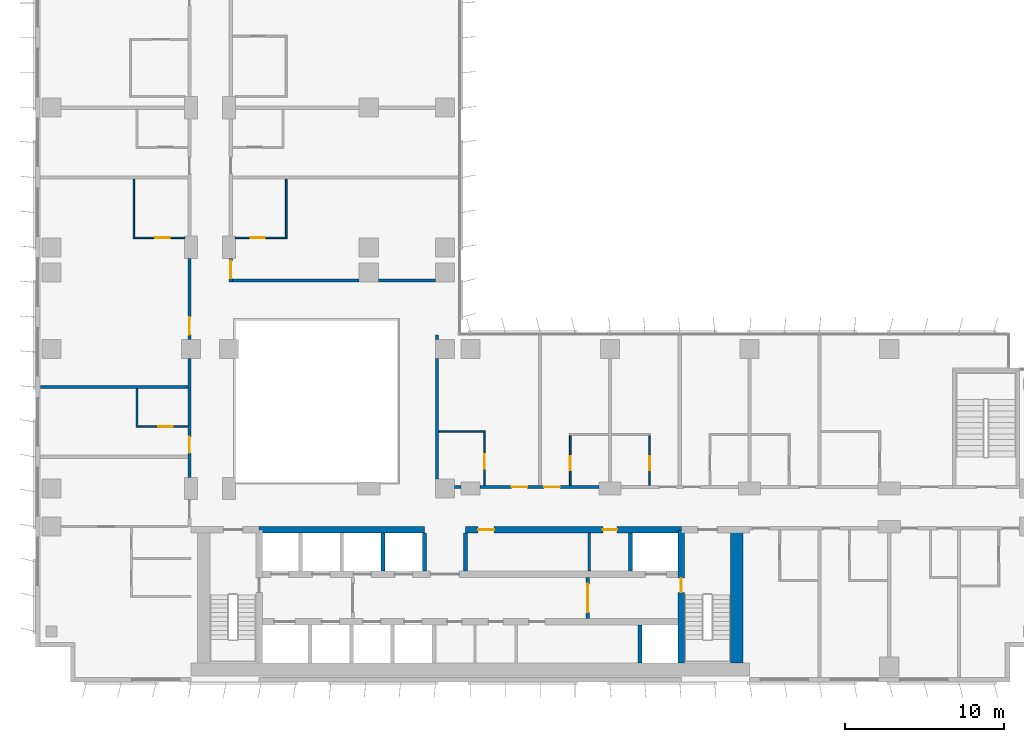
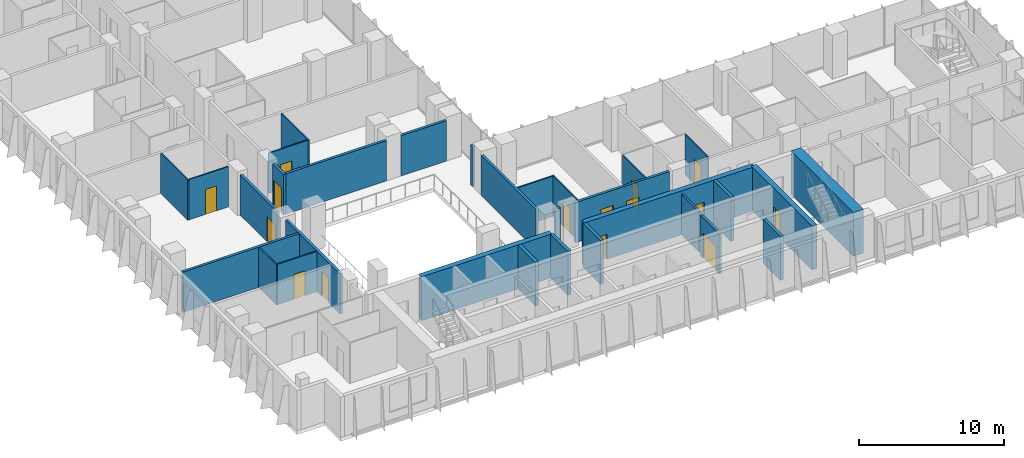
# One storey, part 13 of 23: 31 walls, 15 doors, 15 openings.
"""IFC4 building model written with IfcOpenShell, lengths in metres."""

from ifc_helpers import new_model, si_unit, direction, frame, frame_2d, origin, place, context, subcontext, project, spatial, rectangle, extrude, material, layer, layer_set, type_object, element, fill, save


model = new_model("IFC4")

# Units and contexts
model_context = context("Model", 3, precision=1e-05, world=origin(), true_north=direction((0.0, 1.0)))
body_context = subcontext(model_context, "Body", "Model", "MODEL_VIEW")
ifc_project = project(units=[si_unit("LENGTHUNIT", "METRE"), si_unit("AREAUNIT", "SQUARE_METRE"), si_unit("VOLUMEUNIT", "CUBIC_METRE"), si_unit("PLANEANGLEUNIT", "RADIAN"), si_unit("MASSUNIT", "GRAM", prefix="KILO")], contexts=[model_context])

# Site, building, storey
site_placement = place(None, origin())
site = spatial("IfcSite", under=ifc_project, at=site_placement, CompositionType="ELEMENT")
building_placement = place(site_placement, origin())
building = spatial("IfcBuilding", under=site, at=building_placement, Name="Kemantara Hotel Tower", CompositionType="ELEMENT")
storey_placement = place(building_placement, frame((0.0, 0.0, 118.5)))
storey = spatial("IfcBuildingStorey", under=building, at=storey_placement, Name="L28", CompositionType="ELEMENT", Elevation=118.5)

# Walls
ifc_material_1 = material(Name="Concrete fc 70 MPa", Category="concrete")
ifc_layer_1 = layer(ifc_material_1, 0.25)
ifc_layer_set_1 = layer_set([ifc_layer_1], Name="Concrete fc 70 MPa")
wall_type_1 = type_object("IfcWallType", Name="CORE WALL 250 FC70", PredefinedType="SHEAR", material=ifc_layer_set_1)
wall_1_placement = place(storey_placement, frame((38.10009765625, 1.199951171875, 0.0), z_axis=(0.0, 0.0, 1.0), x_axis=(0.0, 1.0, 0.0)))
element("IfcWall", 1, at=wall_1_placement, inside=storey, type_object=wall_type_1, Name="CORE WALL CW-DS38.1", PredefinedType="SHEAR", context=body_context, shape_type="SweptSolid", body=[
    extrude(rectangle(XDim=2.400146484375, YDim=0.25, at=frame_2d((1.2001953125, 0.0))), origin(), (0.0, 0.0, 1.0), 3.699951171875),
])
for number, where, z_axis, x_axis, name in (
    (2, (21.89990234375, 7.0, 0.0), (0.0, 0.0, 1.0), (0.0, 1.0, 0.0), "CORE WALL CW-DN21.9"),
    (3, (24.5, 7.0, 0.0), (0.0, 0.0, 1.0), (0.0, 1.0, 0.0), "CORE WALL CW-DN24.5"),
    (4, (27.10009765625, 7.0, 0.0), (0.0, 0.0, 1.0), (0.0, 1.0, 0.0), "CORE WALL CW-DN27.1"),
    (5, (37.5, 7.0, 0.0), (0.0, 0.0, 1.0), (0.0, 1.0, 0.0), "CORE WALL CW-DN37.5"),
):
    element("IfcWall", number, at=place(storey_placement, frame(where, z_axis=z_axis, x_axis=x_axis)), inside=storey, type_object=wall_type_1, Name=name, PredefinedType="SHEAR", context=body_context, shape_type="SweptSolid", body=[
        extrude(rectangle(XDim=2.39990234375, YDim=0.25, at=frame_2d((1.199951171875, 0.0))), origin(), (0.0, 0.0, 1.0), 3.699951171875),
    ])
ifc_layer_2 = layer(ifc_material_1, 0.39990234375)
ifc_layer_set_2 = layer_set([ifc_layer_2], Name="Concrete fc 70 MPa")
wall_type_2 = type_object("IfcWallType", Name="CORE WALL 400 FC70", PredefinedType="SHEAR", material=ifc_layer_set_2)
wall_2_placement = place(storey_placement, frame((14.10009765625, 9.60009765625, 0.0), z_axis=(0.0, 0.0, 1.0), x_axis=(1.0, 0.0, 0.0)))
element("IfcWall", 6, at=wall_2_placement, inside=storey, type_object=wall_type_2, Name="CORE WALL CW-NN1", PredefinedType="SHEAR", context=body_context, shape_type="SweptSolid", body=[
    extrude(rectangle(XDim=10.39990234375, YDim=0.39990234375, at=frame_2d((5.199951171875, 0.0))), origin(), (0.0, 0.0, 1.0), 3.699951171875),
])

# Wall, openings, doors
wall_3_placement = place(storey_placement, frame((27.10009765625, 9.60009765625, 0.0), z_axis=(0.0, 0.0, 1.0), x_axis=(1.0, 0.0, 0.0)))
wall_3 = element("IfcWall", 7, at=wall_3_placement, inside=storey, type_object=wall_type_2, Name="CORE WALL CW-NN2", PredefinedType="SHEAR", context=body_context, shape_type="SweptSolid", body=[
    extrude(rectangle(XDim=13.599853515625, YDim=0.39990234375, at=frame_2d((6.7998046875, 0.0))), origin(), (0.0, 0.0, 1.0), 3.699951171875),
])
opening_1_placement = place(wall_3_placement, frame((0.800048828125, 0.0, 0.0)))
opening_1 = element("IfcOpeningElement", 8, at=opening_1_placement, cuts=wall_3, Name="Opening C19-R-NE1", PredefinedType="OPENING", context=body_context, shape_type="SweptSolid", body=[
    extrude(rectangle(XDim=1.0, YDim=2.10009765625, at=frame_2d((0.5, 1.050048828125))), frame((0.0, 0.2099609375, 0.0), z_axis=(0.0, -1.0, 0.0), x_axis=(1.0, 0.0, 0.0)), (0.0, 0.0, 1.0), 0.419921875),
])
opening_2_placement = place(wall_3_placement, frame((8.64990234375, 0.0, 0.0)))
opening_2 = element("IfcOpeningElement", 9, at=opening_2_placement, cuts=wall_3, Name="Opening C19-R-NE2", PredefinedType="OPENING", context=body_context, shape_type="SweptSolid", body=[
    extrude(rectangle(XDim=0.89990234375, YDim=2.10009765625, at=frame_2d((0.449951171875, 1.050048828125))), frame((0.0, 0.2099609375, 0.0), z_axis=(0.0, -1.0, 0.0), x_axis=(1.0, 0.0, 0.0)), (0.0, 0.0, 1.0), 0.419921875),
])
ifc_material_2 = material(Name="Steel fire door", Category="steel")
door_type_1 = type_object("IfcDoorType", Name="Fire door FD30S 1000 x 2100", OperationType="NOTDEFINED", PredefinedType="DOOR", material=ifc_material_2)
door_1_placement = place(opening_1_placement, frame((1.0, 0.0, 0.0), z_axis=(0.0, 0.0, 1.0), x_axis=(-1.0, 0.0, 0.0)))
door_1 = element("IfcDoor", 10, at=door_1_placement, inside=storey, type_object=door_type_1, Name="Housekeeping Store door", OperationType="SINGLE_SWING_RIGHT", OverallHeight=2.10009765625, OverallWidth=1.0, PredefinedType="DOOR", context=body_context, shape_type="SweptSolid", body=[
    extrude(rectangle(XDim=1.0, YDim=2.10009765625, at=frame_2d((0.5, 1.050048828125))), frame((0.0, 0.02490234375, 0.0), z_axis=(0.0, -1.0, 0.0), x_axis=(1.0, 0.0, 0.0)), (0.0, 0.0, 1.0), 0.050048828125),
])
fill(opening_1, door_1)
door_type_2 = type_object("IfcDoorType", Name="Fire door FD60 900 x 2100", OperationType="NOTDEFINED", PredefinedType="DOOR", material=ifc_material_2)
door_2_placement = place(opening_2_placement, frame((0.89990234375, 0.0, 0.0), z_axis=(0.0, 0.0, 1.0), x_axis=(-1.0, 0.0, 0.0)))
door_2 = element("IfcDoor", 11, at=door_2_placement, inside=storey, type_object=door_type_2, Name="It Equipment Room door", OperationType="SINGLE_SWING_LEFT", OverallHeight=2.10009765625, OverallWidth=0.89990234375, PredefinedType="DOOR", context=body_context, shape_type="SweptSolid", body=[
    extrude(rectangle(XDim=0.89990234375, YDim=2.10009765625, at=frame_2d((0.449951171875, 1.050048828125))), frame((0.0, 0.02490234375, 0.0), z_axis=(0.0, -1.0, 0.0), x_axis=(1.0, 0.0, 0.0)), (0.0, 0.0, 1.0), 0.050048828125),
])
fill(opening_2, door_2)

# Wall, opening, door
wall_4_placement = place(storey_placement, frame((40.699951171875, 1.199951171875, 0.0), z_axis=(0.0, 0.0, 1.0), x_axis=(0.0, 1.0, 0.0)))
wall_4 = element("IfcWall", 12, at=wall_4_placement, inside=storey, type_object=wall_type_2, Name="CORE WALL CW-ST2W", PredefinedType="SHEAR", context=body_context, shape_type="SweptSolid", body=[
    extrude(rectangle(XDim=8.400146484375, YDim=0.39990234375, at=frame_2d((4.2001953125, 0.0))), origin(), (0.0, 0.0, 1.0), 3.699951171875),
])
opening_3_placement = place(wall_4_placement, frame((4.449951171875, 0.0, 0.0)))
opening_3 = element("IfcOpeningElement", 13, at=opening_3_placement, cuts=wall_4, Name="Opening C19-ST2-F", PredefinedType="OPENING", context=body_context, shape_type="SweptSolid", body=[
    extrude(rectangle(XDim=0.89990234375, YDim=2.10009765625, at=frame_2d((0.449951171875, 1.050048828125))), frame((0.0, 0.2099609375, 0.0), z_axis=(0.0, -1.0, 0.0), x_axis=(1.0, 0.0, 0.0)), (0.0, 0.0, 1.0), 0.419921875),
])
door_type_3 = type_object("IfcDoorType", Name="Fire door FD90 900 x 2100", OperationType="NOTDEFINED", PredefinedType="DOOR", material=ifc_material_2)
door_3_placement = place(opening_3_placement, frame((0.89990234375, 0.0, 0.0), z_axis=(0.0, 0.0, 1.0), x_axis=(-1.0, 0.0, 0.0)))
door_3 = element("IfcDoor", 14, at=door_3_placement, inside=storey, type_object=door_type_3, Name="Stair ST2 door to firefighting lobby", OperationType="SINGLE_SWING_LEFT", OverallHeight=2.10009765625, OverallWidth=0.89990234375, PredefinedType="DOOR", context=body_context, shape_type="SweptSolid", body=[
    extrude(rectangle(XDim=0.89990234375, YDim=2.10009765625, at=frame_2d((0.449951171875, 1.050048828125))), frame((0.0, 0.02490234375, 0.0), z_axis=(0.0, -1.0, 0.0), x_axis=(1.0, 0.0, 0.0)), (0.0, 0.0, 1.0), 0.050048828125),
])
fill(opening_3, door_3)

# Walls
ifc_layer_3 = layer(ifc_material_1, 0.800048828125)
ifc_layer_set_3 = layer_set([ifc_layer_3], Name="Concrete fc 70 MPa")
wall_type_3 = type_object("IfcWallType", Name="CORE WALL 800 FC70", PredefinedType="SHEAR", material=ifc_layer_set_3)
wall_5_placement = place(storey_placement, frame((44.199951171875, 1.199951171875, 0.0), z_axis=(0.0, 0.0, 1.0), x_axis=(0.0, 1.0, 0.0)))
element("IfcWall", 15, at=wall_5_placement, inside=storey, type_object=wall_type_3, Name="CORE WALL CW-E", PredefinedType="SHEAR", context=body_context, shape_type="SweptSolid", body=[
    extrude(rectangle(XDim=8.60009765625, YDim=0.800048828125, at=frame_2d((4.300048828125, 0.0))), origin(), (0.0, 0.0, 1.0), 3.699951171875),
])
ifc_material_3 = material(Name="Gypsum board partition, steel studs and mineral wool, 200 mm", Category="steel")
ifc_layer_4 = layer(ifc_material_3, 0.199951171875)
ifc_layer_set_4 = layer_set([ifc_layer_4], Name="Gypsum board partition, steel studs and mineral wool, 200 mm")
wall_type_4 = type_object("IfcWallType", Name="CORRIDOR WALL 200", PredefinedType="PARTITIONING", material=ifc_layer_set_4)
wall_6_placement = place(storey_placement, frame((26.400146484375, 12.300048828125, 0.0), z_axis=(0.0, 0.0, 1.0), x_axis=(1.0, 0.0, 0.0)))
element("IfcWall", 16, at=wall_6_placement, inside=storey, type_object=wall_type_4, Name="CORRIDOR WALL 200 007", PredefinedType="PARTITIONING", context=body_context, shape_type="SweptSolid", body=[
    extrude(rectangle(XDim=0.399658203125, YDim=0.199951171875, at=frame_2d((0.19970703125, 0.0))), origin(), (0.0, 0.0, 1.0), 3.39990234375),
])

# Wall, openings, doors
wall_7_placement = place(storey_placement, frame((28.0, 12.300048828125, 0.0), z_axis=(0.0, 0.0, 1.0), x_axis=(1.0, 0.0, 0.0)))
wall_7 = element("IfcWall", 17, at=wall_7_placement, inside=storey, type_object=wall_type_4, Name="CORRIDOR WALL 200 008", PredefinedType="PARTITIONING", context=body_context, shape_type="SweptSolid", body=[
    extrude(rectangle(XDim=7.5, YDim=0.199951171875, at=frame_2d((3.75, 0.0))), origin(), (0.0, 0.0, 1.0), 3.39990234375),
])
opening_4_placement = place(wall_7_placement, frame((2.0, 0.0, 0.0)))
opening_4 = element("IfcOpeningElement", 18, at=opening_4_placement, cuts=wall_7, Name="Opening F12-009", PredefinedType="OPENING", context=body_context, shape_type="SweptSolid", body=[
    extrude(rectangle(XDim=1.0, YDim=2.10009765625, at=frame_2d((0.5, 1.050048828125))), frame((0.0, 0.10986328125, 0.0), z_axis=(0.0, -1.0, 0.0), x_axis=(1.0, 0.0, 0.0)), (0.0, 0.0, 1.0), 0.219970703125),
])
opening_5_placement = place(wall_7_placement, frame((4.0498046875, 0.0, 0.0)))
opening_5 = element("IfcOpeningElement", 19, at=opening_5_placement, cuts=wall_7, Name="Opening F12-011", PredefinedType="OPENING", context=body_context, shape_type="SweptSolid", body=[
    extrude(rectangle(XDim=1.0, YDim=2.10009765625, at=frame_2d((0.5, 1.050048828125))), frame((0.0, 0.10986328125, 0.0), z_axis=(0.0, -1.0, 0.0), x_axis=(1.0, 0.0, 0.0)), (0.0, 0.0, 1.0), 0.219970703125),
])
ifc_material_4 = material(Name="Hardwood veneer door leaf with steel frame", Category="steel")
door_type_4 = type_object("IfcDoorType", Name="GUEST ROOM DOOR 1000 X 2100 FD30S", OperationType="NOTDEFINED", PredefinedType="DOOR", material=ifc_material_4)
door_4_placement = place(opening_4_placement, origin())
door_4 = element("IfcDoor", 20, at=door_4_placement, inside=storey, type_object=door_type_4, Name="GUEST ROOM DOOR F12-009", OperationType="SINGLE_SWING_RIGHT", OverallHeight=2.10009765625, OverallWidth=1.0, PredefinedType="DOOR", context=body_context, shape_type="SweptSolid", body=[
    extrude(rectangle(XDim=1.0, YDim=2.10009765625, at=frame_2d((0.5, 1.050048828125))), frame((0.0, 0.02490234375, 0.0), z_axis=(0.0, -1.0, 0.0), x_axis=(1.0, 0.0, 0.0)), (0.0, 0.0, 1.0), 0.050048828125),
])
fill(opening_4, door_4)
door_5_placement = place(opening_5_placement, origin())
door_5 = element("IfcDoor", 21, at=door_5_placement, inside=storey, type_object=door_type_4, Name="GUEST ROOM DOOR F12-011", OperationType="SINGLE_SWING_LEFT", OverallHeight=2.10009765625, OverallWidth=1.0, PredefinedType="DOOR", context=body_context, shape_type="SweptSolid", body=[
    extrude(rectangle(XDim=1.0, YDim=2.10009765625, at=frame_2d((0.5, 1.050048828125))), frame((0.0, 0.02490234375, 0.0), z_axis=(0.0, -1.0, 0.0), x_axis=(1.0, 0.0, 0.0)), (0.0, 0.0, 1.0), 0.050048828125),
])
fill(opening_5, door_5)

# Wall, opening, door
wall_8_placement = place(storey_placement, frame((9.699951171875, 12.900146484375, 0.0), z_axis=(0.0, 0.0, 1.0), x_axis=(0.0, 1.0, 0.0)))
wall_8 = element("IfcWall", 22, at=wall_8_placement, inside=storey, type_object=wall_type_4, Name="CORRIDOR WALL 200 019", PredefinedType="PARTITIONING", context=body_context, shape_type="SweptSolid", body=[
    extrude(rectangle(XDim=7.499755859375, YDim=0.199951171875, at=frame_2d((3.75, 0.0))), origin(), (0.0, 0.0, 1.0), 3.39990234375),
])
opening_6_placement = place(wall_8_placement, frame((1.5498046875, 0.0, 0.0)))
opening_6 = element("IfcOpeningElement", 23, at=opening_6_placement, cuts=wall_8, Name="Opening F12-025", PredefinedType="OPENING", context=body_context, shape_type="SweptSolid", body=[
    extrude(rectangle(XDim=1.0, YDim=2.10009765625, at=frame_2d((0.5, 1.050048828125))), frame((0.0, 0.10986328125, 0.0), z_axis=(0.0, -1.0, 0.0), x_axis=(1.0, 0.0, 0.0)), (0.0, 0.0, 1.0), 0.219970703125),
])
door_6_placement = place(opening_6_placement, origin())
door_6 = element("IfcDoor", 24, at=door_6_placement, inside=storey, type_object=door_type_4, Name="GUEST ROOM DOOR F12-025", OperationType="SINGLE_SWING_LEFT", OverallHeight=2.10009765625, OverallWidth=1.0, PredefinedType="DOOR", context=body_context, shape_type="SweptSolid", body=[
    extrude(rectangle(XDim=1.0, YDim=2.10009765625, at=frame_2d((0.5, 1.050048828125))), frame((0.0, 0.02490234375, 0.0), z_axis=(0.0, -1.0, 0.0), x_axis=(1.0, 0.0, 0.0)), (0.0, 0.0, 1.0), 0.050048828125),
])
fill(opening_6, door_6)

wall_9_placement = place(storey_placement, frame((9.699951171875, 21.60009765625, 0.0), z_axis=(0.0, 0.0, 1.0), x_axis=(0.0, 1.0, 0.0)))
wall_9 = element("IfcWall", 25, at=wall_9_placement, inside=storey, type_object=wall_type_4, Name="CORRIDOR WALL 200 020", PredefinedType="PARTITIONING", context=body_context, shape_type="SweptSolid", body=[
    extrude(rectangle(XDim=5.099853515625, YDim=0.199951171875, at=frame_2d((2.5498046875, 0.0))), origin(), (0.0, 0.0, 1.0), 3.39990234375),
])
opening_7_placement = place(wall_9_placement, frame((0.2998046875, 0.0, 0.0)))
opening_7 = element("IfcOpeningElement", 26, at=opening_7_placement, cuts=wall_9, Name="Opening F12-027", PredefinedType="OPENING", context=body_context, shape_type="SweptSolid", body=[
    extrude(rectangle(XDim=1.10009765625, YDim=2.10009765625, at=frame_2d((0.550048828125, 1.050048828125))), frame((0.0, 0.10986328125, 0.0), z_axis=(0.0, -1.0, 0.0), x_axis=(1.0, 0.0, 0.0)), (0.0, 0.0, 1.0), 0.219970703125),
])
door_type_5 = type_object("IfcDoorType", Name="SUITE ENTRANCE DOOR 1100 X 2100 FD30S", OperationType="NOTDEFINED", PredefinedType="DOOR", material=ifc_material_4)
door_7_placement = place(opening_7_placement, origin())
door_7 = element("IfcDoor", 27, at=door_7_placement, inside=storey, type_object=door_type_5, Name="SUITE ENTRANCE DOOR F12-027", OperationType="SINGLE_SWING_LEFT", OverallHeight=2.10009765625, OverallWidth=1.10009765625, PredefinedType="DOOR", context=body_context, shape_type="SweptSolid", body=[
    extrude(rectangle(XDim=1.10009765625, YDim=2.10009765625, at=frame_2d((0.550048828125, 1.050048828125))), frame((0.0, 0.02490234375, 0.0), z_axis=(0.0, -1.0, 0.0), x_axis=(1.0, 0.0, 0.0)), (0.0, 0.0, 1.0), 0.050048828125),
])
fill(opening_7, door_7)

wall_10_placement = place(storey_placement, frame((12.300048828125, 26.699951171875, 0.0), z_axis=(0.0, 0.0, 1.0), x_axis=(0.0, -1.0, 0.0)))
wall_10 = element("IfcWall", 28, at=wall_10_placement, inside=storey, type_object=wall_type_4, Name="CORRIDOR WALL 200 044", PredefinedType="PARTITIONING", context=body_context, shape_type="SweptSolid", body=[
    extrude(rectangle(XDim=1.5, YDim=0.199951171875, at=frame_2d((0.75, 0.0))), origin(), (0.0, 0.0, 1.0), 3.39990234375),
])
opening_8_placement = place(wall_10_placement, frame((0.14990234375, 0.0, 0.0)))
opening_8 = element("IfcOpeningElement", 29, at=opening_8_placement, cuts=wall_10, Name="Opening F12-045", PredefinedType="OPENING", context=body_context, shape_type="SweptSolid", body=[
    extrude(rectangle(XDim=1.10009765625, YDim=2.10009765625, at=frame_2d((0.550048828125, 1.050048828125))), frame((0.0, 0.10986328125, 0.0), z_axis=(0.0, -1.0, 0.0), x_axis=(1.0, 0.0, 0.0)), (0.0, 0.0, 1.0), 0.219970703125),
])
door_8_placement = place(opening_8_placement, origin())
door_8 = element("IfcDoor", 30, at=door_8_placement, inside=storey, type_object=door_type_5, Name="SUITE ENTRANCE DOOR F12-045", OperationType="SINGLE_SWING_RIGHT", OverallHeight=2.10009765625, OverallWidth=1.10009765625, PredefinedType="DOOR", context=body_context, shape_type="SweptSolid", body=[
    extrude(rectangle(XDim=1.10009765625, YDim=2.10009765625, at=frame_2d((0.550048828125, 1.050048828125))), frame((0.0, 0.02490234375, 0.0), z_axis=(0.0, -1.0, 0.0), x_axis=(1.0, 0.0, 0.0)), (0.0, 0.0, 1.0), 0.050048828125),
])
fill(opening_8, door_8)

# Walls
ifc_layer_5 = layer(ifc_material_3, 0.199951171875)
ifc_layer_set_5 = layer_set([ifc_layer_5], Name="Gypsum board partition, steel studs and mineral wool, 200 mm")
wall_type_5 = type_object("IfcWallType", Name="GUEST ROOM PARTY WALL 200", PredefinedType="PARTITIONING", material=ifc_layer_set_5)
wall_11_placement = place(storey_placement, frame((25.300048828125, 12.800048828125, 0.0), z_axis=(0.0, 0.0, 1.0), x_axis=(0.0, 1.0, 0.0)))
element("IfcWall", 31, at=wall_11_placement, inside=storey, type_object=wall_type_5, Name="GUEST ROOM PARTY WALL 200 012", PredefinedType="PARTITIONING", context=body_context, shape_type="SweptSolid", body=[
    extrude(rectangle(XDim=7.599853515625, YDim=0.199951171875, at=frame_2d((3.7998046875, 0.0))), origin(), (0.0, 0.0, 1.0), 3.39990234375),
])
wall_12_placement = place(storey_placement, frame((25.300048828125, 21.60009765625, 0.0), z_axis=(0.0, 0.0, 1.0), x_axis=(0.0, 1.0, 0.0)))
element("IfcWall", 32, at=wall_12_placement, inside=storey, type_object=wall_type_5, Name="GUEST ROOM PARTY WALL 200 013", PredefinedType="PARTITIONING", context=body_context, shape_type="SweptSolid", body=[
    extrude(rectangle(XDim=0.27001953125, YDim=0.199951171875, at=frame_2d((0.135009765625, 0.0))), origin(), (0.0, 0.0, 1.0), 3.39990234375),
])
wall_13_placement = place(storey_placement, frame((0.31005859375, 18.60009765625, 0.0), z_axis=(0.0, 0.0, 1.0), x_axis=(1.0, 0.0, 0.0)))
element("IfcWall", 33, at=wall_13_placement, inside=storey, type_object=wall_type_5, Name="GUEST ROOM PARTY WALL 200 028", PredefinedType="PARTITIONING", context=body_context, shape_type="SweptSolid", body=[
    extrude(rectangle(XDim=9.2900390625, YDim=0.199951171875, at=frame_2d((4.64501953125, 0.0))), origin(), (0.0, 0.0, 1.0), 3.39990234375),
])
wall_14_placement = place(storey_placement, frame((12.39990234375, 25.300048828125, 0.0), z_axis=(0.0, 0.0, 1.0), x_axis=(1.0, 0.0, 0.0)))
element("IfcWall", 34, at=wall_14_placement, inside=storey, type_object=wall_type_5, Name="GUEST ROOM PARTY WALL 200 051", PredefinedType="PARTITIONING", context=body_context, shape_type="SweptSolid", body=[
    extrude(rectangle(XDim=8.0, YDim=0.199951171875, at=frame_2d((4.0, 0.0))), origin(), (0.0, 0.0, 1.0), 3.39990234375),
])
wall_15_placement = place(storey_placement, frame((21.60009765625, 25.300048828125, 0.0), z_axis=(0.0, 0.0, 1.0), x_axis=(1.0, 0.0, 0.0)))
element("IfcWall", 35, at=wall_15_placement, inside=storey, type_object=wall_type_5, Name="GUEST ROOM PARTY WALL 200 052", PredefinedType="PARTITIONING", context=body_context, shape_type="SweptSolid", body=[
    extrude(rectangle(XDim=3.599853515625, YDim=0.199951171875, at=frame_2d((1.7998046875, 0.0))), origin(), (0.0, 0.0, 1.0), 3.39990234375),
])
ifc_material_5 = material(Name="Gypsum board partition")
ifc_layer_6 = layer(ifc_material_5, 0.14990234375)
ifc_layer_set_6 = layer_set([ifc_layer_6], Name="Gypsum board partition")
wall_type_6 = type_object("IfcWallType", Name="Gypsum board partition 150 mm", PredefinedType="PARTITIONING", material=ifc_layer_set_6)
wall_16_placement = place(storey_placement, frame((34.89990234375, 7.0, 0.0), z_axis=(0.0, 0.0, 1.0), x_axis=(0.0, 1.0, 0.0)))
element("IfcWall", 36, at=wall_16_placement, inside=storey, type_object=wall_type_6, Name="Core room partition", PredefinedType="PARTITIONING", context=body_context, shape_type="SweptSolid", body=[
    extrude(rectangle(XDim=2.39990234375, YDim=0.14990234375, at=frame_2d((1.199951171875, 0.0))), origin(), (0.0, 0.0, 1.0), 3.39990234375),
])

# Wall, opening, door
ifc_material_6 = material(Name="Gypsum board shaft wall")
ifc_layer_7 = layer(ifc_material_6, 0.199951171875)
ifc_layer_set_7 = layer_set([ifc_layer_7], Name="Gypsum board shaft wall")
wall_type_7 = type_object("IfcWallType", Name="Gypsum board shaft wall 200 mm", PredefinedType="PARTITIONING", material=ifc_layer_set_7)
wall_17_placement = place(storey_placement, frame((34.800048828125, 4.0, 0.0), z_axis=(0.0, 0.0, 1.0), x_axis=(0.0, 1.0, 0.0)))
wall_17 = element("IfcWall", 37, at=wall_17_placement, inside=storey, type_object=wall_type_7, Name="Firefighting lobby partition east", PredefinedType="PARTITIONING", context=body_context, shape_type="SweptSolid", body=[
    extrude(rectangle(XDim=2.60009765625, YDim=0.199951171875, at=frame_2d((1.300048828125, 0.0))), origin(), (0.0, 0.0, 1.0), 3.39990234375),
])
opening_9_placement = place(wall_17_placement, frame((0.39990234375, 0.0, 0.0)))
opening_9 = element("IfcOpeningElement", 38, at=opening_9_placement, cuts=wall_17, Name="Opening C19-FFE", PredefinedType="OPENING", context=body_context, shape_type="SweptSolid", body=[
    extrude(rectangle(XDim=1.800048828125, YDim=2.10009765625, at=frame_2d((0.89990234375, 1.050048828125))), frame((0.0, 0.10986328125, 0.0), z_axis=(0.0, -1.0, 0.0), x_axis=(1.0, 0.0, 0.0)), (0.0, 0.0, 1.0), 0.219970703125),
])
door_type_6 = type_object("IfcDoorType", Name="Fire door pair FD60 1800 x 2100", OperationType="DOUBLE_DOOR_SINGLE_SWING", PredefinedType="DOOR", material=ifc_material_2)
door_9_placement = place(opening_9_placement, frame((1.800048828125, 0.0, 0.0), z_axis=(0.0, 0.0, 1.0), x_axis=(-1.0, 0.0, 0.0)))
door_9 = element("IfcDoor", 39, at=door_9_placement, inside=storey, type_object=door_type_6, Name="Firefighting lobby door east", OperationType="DOUBLE_DOOR_SINGLE_SWING", OverallHeight=2.10009765625, OverallWidth=1.800048828125, PredefinedType="DOOR", context=body_context, shape_type="SweptSolid", body=[
    extrude(rectangle(XDim=1.800048828125, YDim=2.10009765625, at=frame_2d((0.89990234375, 1.050048828125))), frame((0.0, 0.02490234375, 0.0), z_axis=(0.0, -1.0, 0.0), x_axis=(1.0, 0.0, 0.0)), (0.0, 0.0, 1.0), 0.050048828125),
])
fill(opening_9, door_9)

# Wall
ifc_material_7 = material(Name="Gypsum board partition on steel studs, 100 mm", Category="steel")
ifc_layer_8 = layer(ifc_material_7, 0.10009765625)
ifc_layer_set_8 = layer_set([ifc_layer_8], Name="Gypsum board partition on steel studs, 100 mm")
wall_type_8 = type_object("IfcWallType", Name="ROOM PARTITION 100", PredefinedType="PARTITIONING", material=ifc_layer_set_8)
wall_18_placement = place(storey_placement, frame((25.39990234375, 15.800048828125, 0.0), z_axis=(0.0, 0.0, 1.0), x_axis=(1.0, 0.0, 0.0)))
element("IfcWall", 40, at=wall_18_placement, inside=storey, type_object=wall_type_8, Name="ROOM PARTITION 100 065", PredefinedType="PARTITIONING", context=body_context, shape_type="SweptSolid", body=[
    extrude(rectangle(XDim=2.9501953125, YDim=0.10009765625, at=frame_2d((1.47509765625, 0.0))), origin(), (0.0, 0.0, 1.0), 3.39990234375),
])

# Wall, opening, door
wall_19_placement = place(storey_placement, frame((28.300048828125, 12.39990234375, 0.0), z_axis=(0.0, 0.0, 1.0), x_axis=(0.0, 1.0, 0.0)))
wall_19 = element("IfcWall", 41, at=wall_19_placement, inside=storey, type_object=wall_type_8, Name="ROOM PARTITION 100 067", PredefinedType="PARTITIONING", context=body_context, shape_type="SweptSolid", body=[
    extrude(rectangle(XDim=3.35009765625, YDim=0.10009765625, at=frame_2d((1.675048828125, 0.0))), origin(), (0.0, 0.0, 1.0), 3.39990234375),
])
opening_10_placement = place(wall_19_placement, frame((1.050048828125, 0.0, 0.0)))
opening_10 = element("IfcOpeningElement", 42, at=opening_10_placement, cuts=wall_19, Name="Opening F12-010", PredefinedType="OPENING", context=body_context, shape_type="SweptSolid", body=[
    extrude(rectangle(XDim=0.89990234375, YDim=2.10009765625, at=frame_2d((0.449951171875, 1.050048828125))), frame((0.0, 0.06005859375, 0.0), z_axis=(0.0, -1.0, 0.0), x_axis=(1.0, 0.0, 0.0)), (0.0, 0.0, 1.0), 0.1201171875),
])
door_type_7 = type_object("IfcDoorType", Name="BATHROOM DOOR 900 X 2100", OperationType="NOTDEFINED", PredefinedType="DOOR", material=ifc_material_4)
door_10_placement = place(opening_10_placement, origin())
door_10 = element("IfcDoor", 43, at=door_10_placement, inside=storey, type_object=door_type_7, Name="BATHROOM DOOR F12-010", OperationType="SINGLE_SWING_LEFT", OverallHeight=2.10009765625, OverallWidth=0.89990234375, PredefinedType="DOOR", context=body_context, shape_type="SweptSolid", body=[
    extrude(rectangle(XDim=0.89990234375, YDim=2.10009765625, at=frame_2d((0.449951171875, 1.050048828125))), frame((0.0, 0.02490234375, 0.0), z_axis=(0.0, -1.0, 0.0), x_axis=(1.0, 0.0, 0.0)), (0.0, 0.0, 1.0), 0.050048828125),
])
fill(opening_10, door_10)

wall_20_placement = place(storey_placement, frame((33.699951171875, 15.550048828125, 0.0), z_axis=(0.0, 0.0, 1.0), x_axis=(0.0, -1.0, 0.0)))
wall_20 = element("IfcWall", 44, at=wall_20_placement, inside=storey, type_object=wall_type_8, Name="ROOM PARTITION 100 072", PredefinedType="PARTITIONING", context=body_context, shape_type="SweptSolid", body=[
    extrude(rectangle(XDim=3.150146484375, YDim=0.10009765625, at=frame_2d((1.5751953125, 0.0))), origin(), (0.0, 0.0, 1.0), 3.39990234375),
])
opening_11_placement = place(wall_20_placement, frame((1.300048828125, 0.0, 0.0)))
opening_11 = element("IfcOpeningElement", 45, at=opening_11_placement, cuts=wall_20, Name="Opening F12-012", PredefinedType="OPENING", context=body_context, shape_type="SweptSolid", body=[
    extrude(rectangle(XDim=0.89990234375, YDim=2.10009765625, at=frame_2d((0.449951171875, 1.050048828125))), frame((0.0, 0.06005859375, 0.0), z_axis=(0.0, -1.0, 0.0), x_axis=(1.0, 0.0, 0.0)), (0.0, 0.0, 1.0), 0.1201171875),
])
door_11_placement = place(opening_11_placement, origin())
door_11 = element("IfcDoor", 46, at=door_11_placement, inside=storey, type_object=door_type_7, Name="BATHROOM DOOR F12-012", OperationType="SINGLE_SWING_RIGHT", OverallHeight=2.10009765625, OverallWidth=0.89990234375, PredefinedType="DOOR", context=body_context, shape_type="SweptSolid", body=[
    extrude(rectangle(XDim=0.89990234375, YDim=2.10009765625, at=frame_2d((0.449951171875, 1.050048828125))), frame((0.0, 0.02490234375, 0.0), z_axis=(0.0, -1.0, 0.0), x_axis=(1.0, 0.0, 0.0)), (0.0, 0.0, 1.0), 0.050048828125),
])
fill(opening_11, door_11)

wall_21_placement = place(storey_placement, frame((38.699951171875, 12.39990234375, 0.0), z_axis=(0.0, 0.0, 1.0), x_axis=(0.0, 1.0, 0.0)))
wall_21 = element("IfcWall", 47, at=wall_21_placement, inside=storey, type_object=wall_type_8, Name="ROOM PARTITION 100 073", PredefinedType="PARTITIONING", context=body_context, shape_type="SweptSolid", body=[
    extrude(rectangle(XDim=3.150146484375, YDim=0.10009765625, at=frame_2d((1.5751953125, 0.0))), origin(), (0.0, 0.0, 1.0), 3.39990234375),
])
opening_12_placement = place(wall_21_placement, frame((0.949951171875, 0.0, 0.0)))
opening_12 = element("IfcOpeningElement", 48, at=opening_12_placement, cuts=wall_21, Name="Opening F12-014", PredefinedType="OPENING", context=body_context, shape_type="SweptSolid", body=[
    extrude(rectangle(XDim=0.89990234375, YDim=2.10009765625, at=frame_2d((0.449951171875, 1.050048828125))), frame((0.0, 0.06005859375, 0.0), z_axis=(0.0, -1.0, 0.0), x_axis=(1.0, 0.0, 0.0)), (0.0, 0.0, 1.0), 0.1201171875),
])
door_12_placement = place(opening_12_placement, origin())
door_12 = element("IfcDoor", 49, at=door_12_placement, inside=storey, type_object=door_type_7, Name="BATHROOM DOOR F12-014", OperationType="SINGLE_SWING_LEFT", OverallHeight=2.10009765625, OverallWidth=0.89990234375, PredefinedType="DOOR", context=body_context, shape_type="SweptSolid", body=[
    extrude(rectangle(XDim=0.89990234375, YDim=2.10009765625, at=frame_2d((0.449951171875, 1.050048828125))), frame((0.0, 0.02490234375, 0.0), z_axis=(0.0, -1.0, 0.0), x_axis=(1.0, 0.0, 0.0)), (0.0, 0.0, 1.0), 0.050048828125),
])
fill(opening_12, door_12)

# Wall
wall_22_placement = place(storey_placement, frame((6.39990234375, 16.050048828125, 0.0), z_axis=(0.0, 0.0, 1.0), x_axis=(0.0, 1.0, 0.0)))
element("IfcWall", 50, at=wall_22_placement, inside=storey, type_object=wall_type_8, Name="ROOM PARTITION 100 082", PredefinedType="PARTITIONING", context=body_context, shape_type="SweptSolid", body=[
    extrude(rectangle(XDim=2.449951171875, YDim=0.10009765625, at=frame_2d((1.22509765625, 0.0))), origin(), (0.0, 0.0, 1.0), 3.39990234375),
])

# Wall, opening, door
wall_23_placement = place(storey_placement, frame((6.449951171875, 16.10009765625, 0.0), z_axis=(0.0, 0.0, 1.0), x_axis=(1.0, 0.0, 0.0)))
wall_23 = element("IfcWall", 51, at=wall_23_placement, inside=storey, type_object=wall_type_8, Name="ROOM PARTITION 100 089", PredefinedType="PARTITIONING", context=body_context, shape_type="SweptSolid", body=[
    extrude(rectangle(XDim=3.150146484375, YDim=0.10009765625, at=frame_2d((1.5751953125, 0.0))), origin(), (0.0, 0.0, 1.0), 3.39990234375),
])
opening_13_placement = place(wall_23_placement, frame((1.300048828125, 0.0, 0.0)))
opening_13 = element("IfcOpeningElement", 52, at=opening_13_placement, cuts=wall_23, Name="Opening F12-026", PredefinedType="OPENING", context=body_context, shape_type="SweptSolid", body=[
    extrude(rectangle(XDim=0.89990234375, YDim=2.10009765625, at=frame_2d((0.449951171875, 1.050048828125))), frame((0.0, 0.06005859375, 0.0), z_axis=(0.0, -1.0, 0.0), x_axis=(1.0, 0.0, 0.0)), (0.0, 0.0, 1.0), 0.1201171875),
])
door_13_placement = place(opening_13_placement, origin())
door_13 = element("IfcDoor", 53, at=door_13_placement, inside=storey, type_object=door_type_7, Name="BATHROOM DOOR F12-026", OperationType="SINGLE_SWING_RIGHT", OverallHeight=2.10009765625, OverallWidth=0.89990234375, PredefinedType="DOOR", context=body_context, shape_type="SweptSolid", body=[
    extrude(rectangle(XDim=0.89990234375, YDim=2.10009765625, at=frame_2d((0.449951171875, 1.050048828125))), frame((0.0, 0.02490234375, 0.0), z_axis=(0.0, -1.0, 0.0), x_axis=(1.0, 0.0, 0.0)), (0.0, 0.0, 1.0), 0.050048828125),
])
fill(opening_13, door_13)

# Wall
wall_24_placement = place(storey_placement, frame((6.199951171875, 27.949951171875, 0.0), z_axis=(0.0, 0.0, 1.0), x_axis=(0.0, 1.0, 0.0)))
element("IfcWall", 54, at=wall_24_placement, inside=storey, type_object=wall_type_8, Name="ROOM PARTITION 100 090", PredefinedType="PARTITIONING", context=body_context, shape_type="SweptSolid", body=[
    extrude(rectangle(XDim=3.75, YDim=0.10009765625, at=frame_2d((1.875, 0.0))), origin(), (0.0, 0.0, 1.0), 3.39990234375),
])

# Wall, opening, door
wall_25_placement = place(storey_placement, frame((6.25, 28.0, 0.0), z_axis=(0.0, 0.0, 1.0), x_axis=(1.0, 0.0, 0.0)))
wall_25 = element("IfcWall", 55, at=wall_25_placement, inside=storey, type_object=wall_type_8, Name="ROOM PARTITION 100 091", PredefinedType="PARTITIONING", context=body_context, shape_type="SweptSolid", body=[
    extrude(rectangle(XDim=3.14990234375, YDim=0.10009765625, at=frame_2d((1.574951171875, 0.0))), origin(), (0.0, 0.0, 1.0), 3.39990234375),
])
opening_14_placement = place(wall_25_placement, frame((1.300048828125, 0.0, 0.0)))
opening_14 = element("IfcOpeningElement", 56, at=opening_14_placement, cuts=wall_25, Name="Opening F12-028", PredefinedType="OPENING", context=body_context, shape_type="SweptSolid", body=[
    extrude(rectangle(XDim=0.89990234375, YDim=2.10009765625, at=frame_2d((0.449951171875, 1.050048828125))), frame((0.0, 0.06005859375, 0.0), z_axis=(0.0, -1.0, 0.0), x_axis=(1.0, 0.0, 0.0)), (0.0, 0.0, 1.0), 0.1201171875),
])
door_14_placement = place(opening_14_placement, origin())
door_14 = element("IfcDoor", 57, at=door_14_placement, inside=storey, type_object=door_type_7, Name="BATHROOM DOOR F12-028", OperationType="SINGLE_SWING_RIGHT", OverallHeight=2.10009765625, OverallWidth=0.89990234375, PredefinedType="DOOR", context=body_context, shape_type="SweptSolid", body=[
    extrude(rectangle(XDim=0.89990234375, YDim=2.10009765625, at=frame_2d((0.449951171875, 1.050048828125))), frame((0.0, 0.02490234375, 0.0), z_axis=(0.0, -1.0, 0.0), x_axis=(1.0, 0.0, 0.0)), (0.0, 0.0, 1.0), 0.050048828125),
])
fill(opening_14, door_14)

wall_26_placement = place(storey_placement, frame((12.60009765625, 28.0, 0.0), z_axis=(0.0, 0.0, 1.0), x_axis=(1.0, 0.0, 0.0)))
wall_26 = element("IfcWall", 58, at=wall_26_placement, inside=storey, type_object=wall_type_8, Name="ROOM PARTITION 100 092", PredefinedType="PARTITIONING", context=body_context, shape_type="SweptSolid", body=[
    extrude(rectangle(XDim=3.14990234375, YDim=0.10009765625, at=frame_2d((1.574951171875, 0.0))), origin(), (0.0, 0.0, 1.0), 3.39990234375),
])
opening_15_placement = place(wall_26_placement, frame((0.949951171875, 0.0, 0.0)))
opening_15 = element("IfcOpeningElement", 59, at=opening_15_placement, cuts=wall_26, Name="Opening F12-046", PredefinedType="OPENING", context=body_context, shape_type="SweptSolid", body=[
    extrude(rectangle(XDim=0.89990234375, YDim=2.10009765625, at=frame_2d((0.449951171875, 1.050048828125))), frame((0.0, 0.06005859375, 0.0), z_axis=(0.0, -1.0, 0.0), x_axis=(1.0, 0.0, 0.0)), (0.0, 0.0, 1.0), 0.1201171875),
])
door_15_placement = place(opening_15_placement, origin())
door_15 = element("IfcDoor", 60, at=door_15_placement, inside=storey, type_object=door_type_7, Name="BATHROOM DOOR F12-046", OperationType="SINGLE_SWING_LEFT", OverallHeight=2.10009765625, OverallWidth=0.89990234375, PredefinedType="DOOR", context=body_context, shape_type="SweptSolid", body=[
    extrude(rectangle(XDim=0.89990234375, YDim=2.10009765625, at=frame_2d((0.449951171875, 1.050048828125))), frame((0.0, 0.02490234375, 0.0), z_axis=(0.0, -1.0, 0.0), x_axis=(1.0, 0.0, 0.0)), (0.0, 0.0, 1.0), 0.050048828125),
])
fill(opening_15, door_15)

# Wall
wall_27_placement = place(storey_placement, frame((15.800048828125, 27.949951171875, 0.0), z_axis=(0.0, 0.0, 1.0), x_axis=(0.0, 1.0, 0.0)))
element("IfcWall", 61, at=wall_27_placement, inside=storey, type_object=wall_type_8, Name="ROOM PARTITION 100 107", PredefinedType="PARTITIONING", context=body_context, shape_type="SweptSolid", body=[
    extrude(rectangle(XDim=3.75, YDim=0.10009765625, at=frame_2d((1.875, 0.0))), origin(), (0.0, 0.0, 1.0), 3.39990234375),
])

save(model, "model.ifc")
